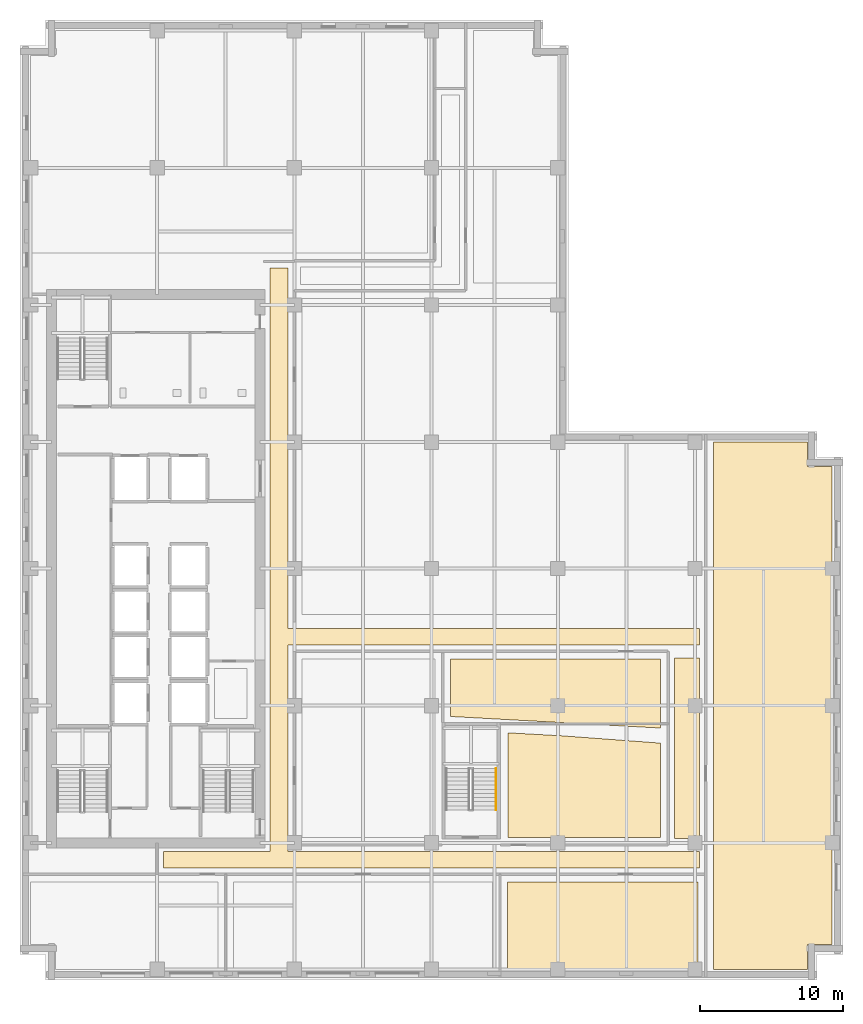
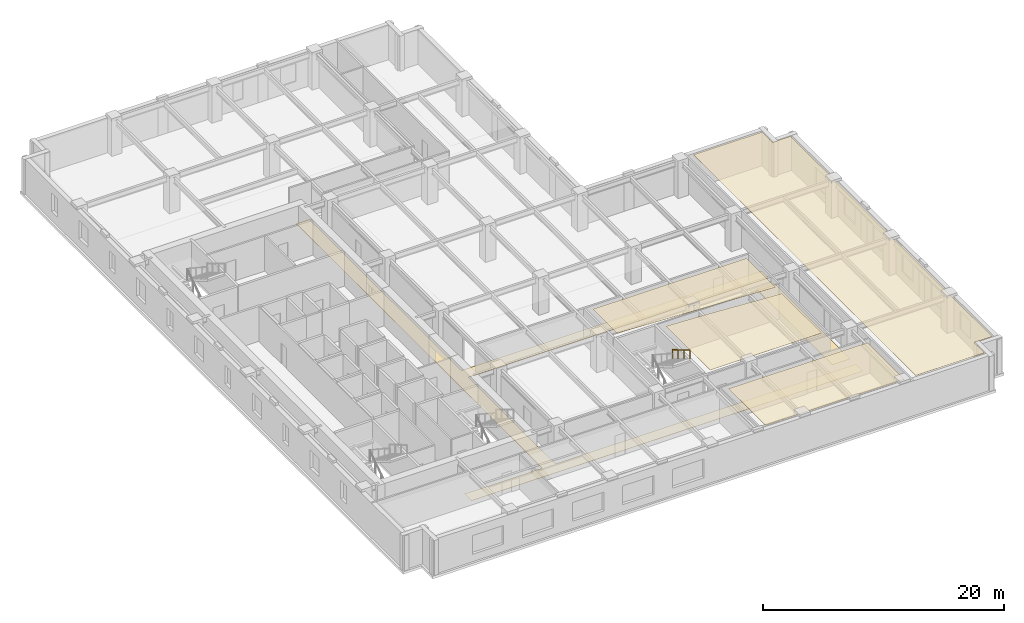
# One storey, part 9 of 12: 6 coverings, 1 railing.
"""IFC4 building model written with IfcOpenShell, lengths in metres."""

from ifc_helpers import new_model, si_unit, direction, frame, origin, origin_2d, place, context, subcontext, project, spatial, polyline, circle, outline, extrude, material, layer, layer_set, type_object, element, save


model = new_model("IFC4")

# Units and contexts
model_context = context("Model", 3, precision=1e-05, world=origin(), true_north=direction((0.0, 1.0)))
body_context = subcontext(model_context, "Body", "Model", "MODEL_VIEW")
ifc_project = project(units=[si_unit("LENGTHUNIT", "METRE"), si_unit("AREAUNIT", "SQUARE_METRE"), si_unit("VOLUMEUNIT", "CUBIC_METRE"), si_unit("PLANEANGLEUNIT", "RADIAN"), si_unit("MASSUNIT", "GRAM", prefix="KILO")], contexts=[model_context])

# Site, building, storey
site_placement = place(None, origin())
site = spatial("IfcSite", under=ifc_project, at=site_placement, CompositionType="ELEMENT")
building_placement = place(site_placement, origin())
building = spatial("IfcBuilding", under=site, at=building_placement, Name="Norrvale University Quadrangle", CompositionType="ELEMENT")
storey_placement = place(building_placement, frame((0.0, 0.0, 139.39990234375)))
storey = spatial("IfcBuildingStorey", under=building, at=storey_placement, Name="L35", CompositionType="ELEMENT", Elevation=139.39990234375)

# Coverings
ifc_material_1 = material(Name="Perforated Acoustic Mineral Ceiling")
ifc_layer_1 = layer(ifc_material_1, 0.02490234375, Name="Perforated Acoustic Mineral Ceiling")
ifc_layer_set_1 = layer_set([ifc_layer_1], Name="Perforated Acoustic Mineral Ceiling")
covering_type_1 = type_object("IfcCoveringType", Name="Covering Acoustic Ceiling 25", PredefinedType="CEILING", material=ifc_layer_set_1)
covering_1_placement = place(storey_placement, frame((0.0, 0.0, 3.51513671875)))
element("IfcCovering", 1, at=covering_1_placement, inside=storey, type_object=covering_type_1, Name="Acoustic Ceiling RM-L35-S03", PredefinedType="CEILING", context=body_context, shape_type="SweptSolid", body=[
    extrude(outline(polyline([(34.1298828125, 6.8701171875), (47.469970703125, 6.8701171875), (47.469970703125, 0.75), (34.1298828125, 0.75), (34.1298828125, 6.8701171875)])), origin(), (0.0, 0.0, 1.0), 0.02490234375),
])
covering_2_placement = place(storey_placement, frame((0.0, 0.0, 3.51513671875)))
element("IfcCovering", 2, at=covering_2_placement, inside=storey, type_object=covering_type_1, Name="Acoustic Ceiling RM-L35-E01", PredefinedType="CEILING", context=body_context, shape_type="SweptSolid", body=[
    extrude(outline(polyline([(48.530029296875, 0.75), (48.530029296875, 37.64990234375), (55.1298828125, 37.64990234375), (55.1298828125, 35.929931640625), (56.85009765625, 35.929931640625), (56.85009765625, 2.469970703125), (55.1298828125, 2.469970703125), (55.1298828125, 0.75), (48.530029296875, 0.75)])), origin(), (0.0, 0.0, 1.0), 0.02490234375),
])
covering_3_placement = place(storey_placement, frame((0.0, 0.0, 3.51513671875)))
element("IfcCovering", 3, at=covering_3_placement, inside=storey, type_object=covering_type_1, Name="Acoustic Ceiling RM-L35-ILH", PredefinedType="CEILING", context=body_context, shape_type="SweptSolid", body=[
    extrude(outline(polyline([(30.1298828125, 18.446044921875), (30.1298828125, 22.469970703125), (44.844970703125, 22.469970703125), (44.844970703125, 17.635009765625), (30.1298828125, 18.446044921875)])), origin(), (0.0, 0.0, 1.0), 0.02490234375),
])
covering_4_placement = place(storey_placement, frame((0.0, 0.0, 3.51513671875)))
element("IfcCovering", 4, at=covering_4_placement, inside=storey, type_object=covering_type_1, Name="Acoustic Ceiling RM-L35-ISE", PredefinedType="CEILING", context=body_context, shape_type="SweptSolid", body=[
    extrude(outline(polyline([(44.844970703125, 16.58203125), (44.844970703125, 9.97998046875), (34.14990234375, 9.97998046875), (34.14990234375, 17.303955078125), (37.93603515625, 17.094970703125), (44.844970703125, 16.58203125)])), origin(), (0.0, 0.0, 1.0), 0.02490234375),
])
ifc_material_2 = material(Name="Polished Terrazzo Flooring")
ifc_layer_2 = layer(ifc_material_2, 0.02490234375, Name="Polished Terrazzo Flooring")
ifc_layer_set_2 = layer_set([ifc_layer_2], Name="Polished Terrazzo Flooring")
covering_type_2 = type_object("IfcCoveringType", Name="Covering Terrazzo Floor 30", PredefinedType="FLOORING", material=ifc_layer_set_2)
covering_5_placement = place(storey_placement, origin())
element("IfcCovering", 5, at=covering_5_placement, inside=storey, type_object=covering_type_2, Name="Terrazzo Flooring RM-L35-CORR1", PredefinedType="FLOORING", context=body_context, shape_type="SweptSolid", body=[
    extrude(outline(polyline([(10.050048828125, 7.85009765625), (10.050048828125, 9.0), (17.5, 9.0), (17.5, 49.85009765625), (18.75, 49.85009765625), (18.75, 24.60009765625), (47.550048828125, 24.60009765625), (47.550048828125, 23.449951171875), (18.75, 23.449951171875), (18.75, 9.0), (47.550048828125, 9.0), (47.550048828125, 7.85009765625), (10.050048828125, 7.85009765625)])), origin(), (0.0, 0.0, 1.0), 0.025146484375),
])
covering_6_placement = place(storey_placement, origin())
element("IfcCovering", 6, at=covering_6_placement, inside=storey, type_object=covering_type_2, Name="Terrazzo Flooring RM-L35-CORR2", PredefinedType="FLOORING", context=body_context, shape_type="SweptSolid", body=[
    extrude(outline(polyline([(45.824951171875, 9.89990234375), (45.824951171875, 22.550048828125), (47.550048828125, 22.550048828125), (47.550048828125, 9.89990234375), (45.824951171875, 9.89990234375)])), origin(), (0.0, 0.0, 1.0), 0.025146484375),
])

# Railing
ifc_material_3 = material(Name="Stainless Steel 316L Handrail", Category="steel")
railing_type = type_object("IfcRailingType", Name="Railing Stair Handrail 920", PredefinedType="HANDRAIL", material=ifc_material_3)
railing_placement = place(storey_placement, frame((33.31005859375, 14.800048828125, 2.07275390625)))
element("IfcRailing", 7, at=railing_placement, inside=storey, type_object=railing_type, Name="Stair Upper Flight Handrail ST-04 L35", PredefinedType="HANDRAIL", context=body_context, shape_type="SweptSolid", body=[
    extrude(circle(Radius=0.02392578125, at=origin_2d()), frame((0.0, 0.0, 0.89599609375), z_axis=(0.0, -0.859160404282, 0.51170636083), x_axis=(1.0, 0.0, 0.0)), (0.0, 0.0, 1.0), 3.37548828125),
    extrude(circle(Radius=0.02099609375, at=origin_2d()), origin(), (0.0, 0.0, 1.0), 0.871826171875),
    extrude(circle(Radius=0.02099609375, at=origin_2d()), frame((0.0, -0.966796875, 0.57568359375)), (0.0, 0.0, 1.0), 0.871826171875),
    extrude(circle(Radius=0.02099609375, at=origin_2d()), frame((0.0, -1.933349609375, 1.151611328125)), (0.0, 0.0, 1.0), 0.871826171875),
    extrude(circle(Radius=0.02099609375, at=origin_2d()), frame((0.0, -2.900146484375, 1.727294921875)), (0.0, 0.0, 1.0), 0.871826171875),
])

save(model, "model.ifc")
